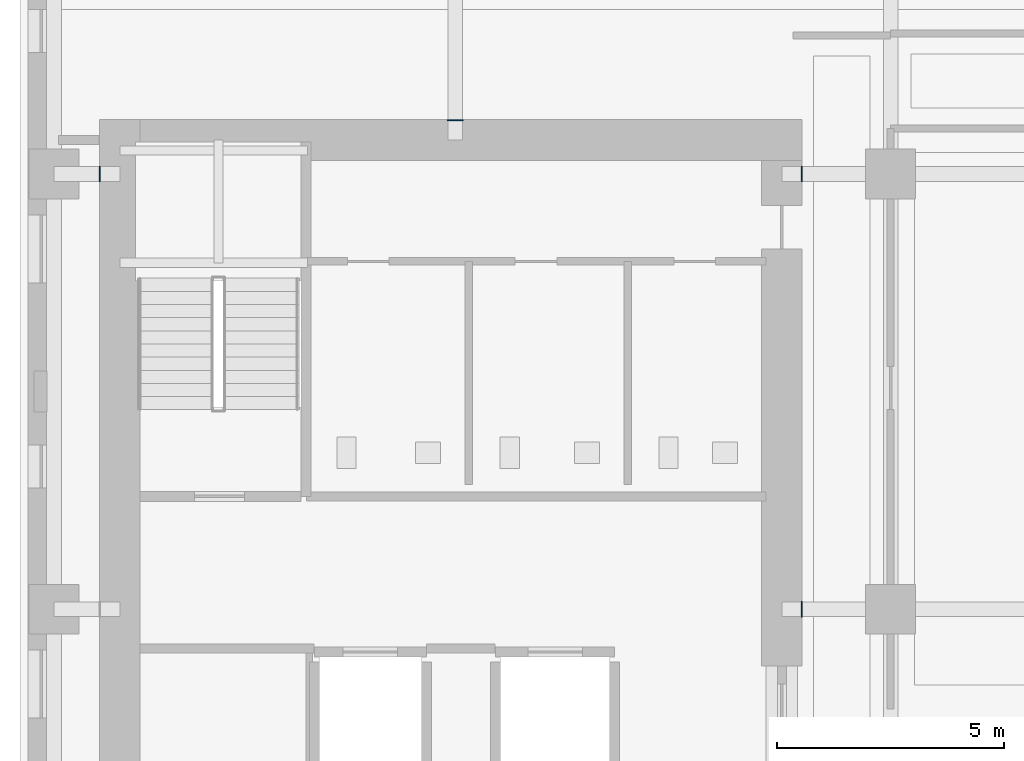
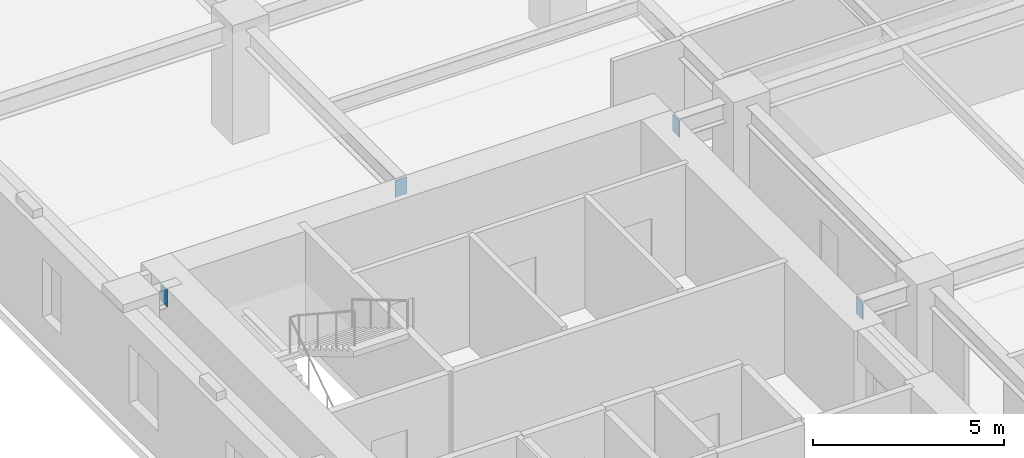
# One storey, part 10 of 15: 4 discrete accessories.
"""IFC4 building model written with IfcOpenShell, lengths in metres."""

from ifc_helpers import new_model, si_unit, direction, frame, origin, origin_2d, place, context, subcontext, project, spatial, rectangle, extrude, material, layer, layer_set, type_object, element, save


model = new_model("IFC4")

# Units and contexts
model_context = context("Model", 3, precision=1e-05, world=origin(), true_north=direction((0.0, 1.0)))
body_context = subcontext(model_context, "Body", "Model", "MODEL_VIEW")
ifc_project = project(units=[si_unit("LENGTHUNIT", "METRE"), si_unit("AREAUNIT", "SQUARE_METRE"), si_unit("VOLUMEUNIT", "CUBIC_METRE"), si_unit("PLANEANGLEUNIT", "RADIAN"), si_unit("MASSUNIT", "GRAM", prefix="KILO")], contexts=[model_context])

# Site, building, storey
site_placement = place(None, origin())
site = spatial("IfcSite", under=ifc_project, at=site_placement, CompositionType="ELEMENT")
building_placement = place(site_placement, origin())
building = spatial("IfcBuilding", under=site, at=building_placement, Name="Norrvale University Quadrangle", CompositionType="ELEMENT")
storey_placement = place(building_placement, frame((0.0, 0.0, 88.800048828125)))
storey = spatial("IfcBuildingStorey", under=building, at=storey_placement, Name="L22", CompositionType="ELEMENT", Elevation=88.800048828125)

# Discrete accessories
ifc_material = material(Name="Steel 350W", Category="steel")
ifc_layer = layer(ifc_material, 0.02490234375, Name="Steel 350W")
ifc_layer_set = layer_set([ifc_layer], Name="Steel 350W")
discrete_accessory_type = type_object("IfcDiscreteAccessoryType", Name="Accessory Cast In Embed Plate", PredefinedType="ANCHORPLATE", material=ifc_layer_set)
for number, where, z_axis, x_axis, name in (
    (1, (17.237548828125, 37.64990234375, 2.9599609375), (0.0, 0.0, 1.0), (1.0, 0.0, 0.0), "Core Wall Cast-in Embed Plate L22-GCE076"),
    (2, (1.762451171875, 47.25, 2.9599609375), (0.0, 0.0, 1.0), (1.0, 0.0, 0.0), "Core Wall Cast-in Embed Plate L22-GCW077"),
    (3, (17.237548828125, 47.25, 2.9599609375), (0.0, 0.0, 1.0), (1.0, 0.0, 0.0), "Core Wall Cast-in Embed Plate L22-GCE078"),
):
    element("IfcDiscreteAccessory", number, at=place(storey_placement, frame(where, z_axis=z_axis, x_axis=x_axis)), inside=storey, type_object=discrete_accessory_type, Name=name, PredefinedType="ANCHORPLATE", context=body_context, shape_type="SweptSolid", body=[
        extrude(rectangle(XDim=0.02490234375, YDim=0.35009765625, at=origin_2d()), origin(), (0.0, 0.0, 1.0), 0.5400390625),
    ])
discrete_accessory_placement = place(storey_placement, frame((9.60009765625, 48.4375, 2.9599609375), z_axis=(0.0, 0.0, 1.0), x_axis=(1.0, 0.0, 0.0)))
element("IfcDiscreteAccessory", 4, at=discrete_accessory_placement, inside=storey, type_object=discrete_accessory_type, Name="Core Wall Cast-in Embed Plate L22-GCN104", PredefinedType="ANCHORPLATE", context=body_context, shape_type="SweptSolid", body=[
    extrude(rectangle(XDim=0.35009765625, YDim=0.02490234375, at=origin_2d()), origin(), (0.0, 0.0, 1.0), 0.5400390625),
])

save(model, "model.ifc")
